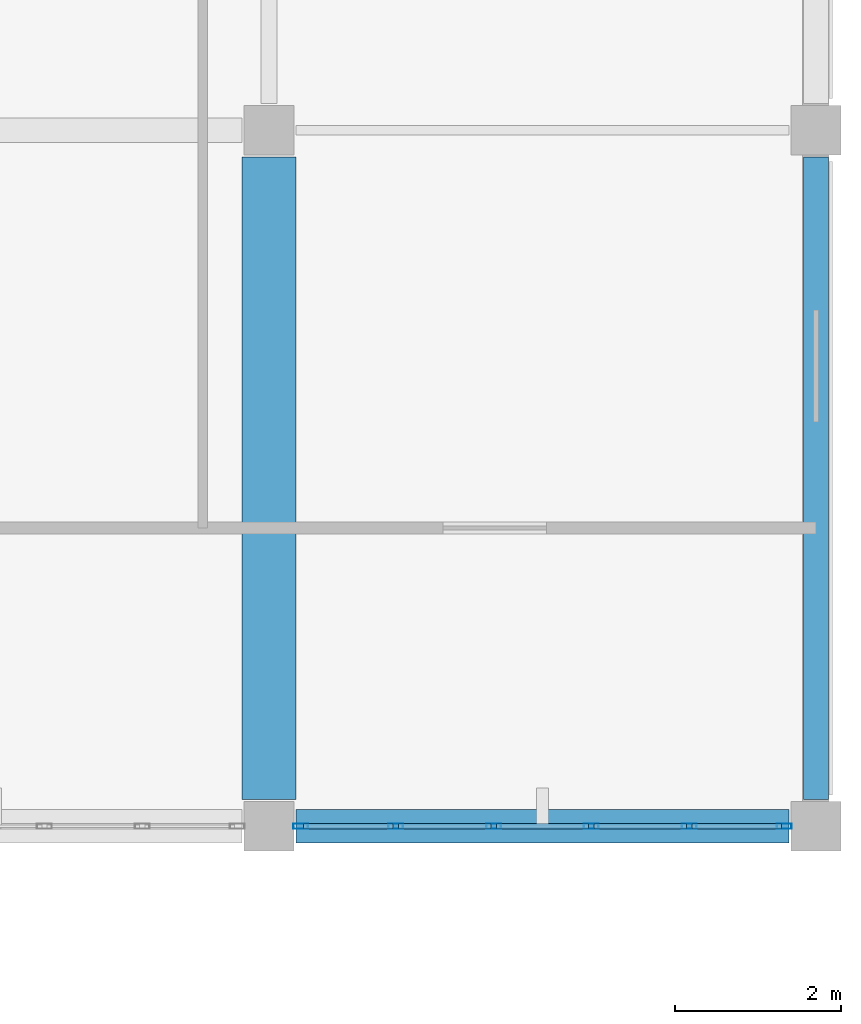
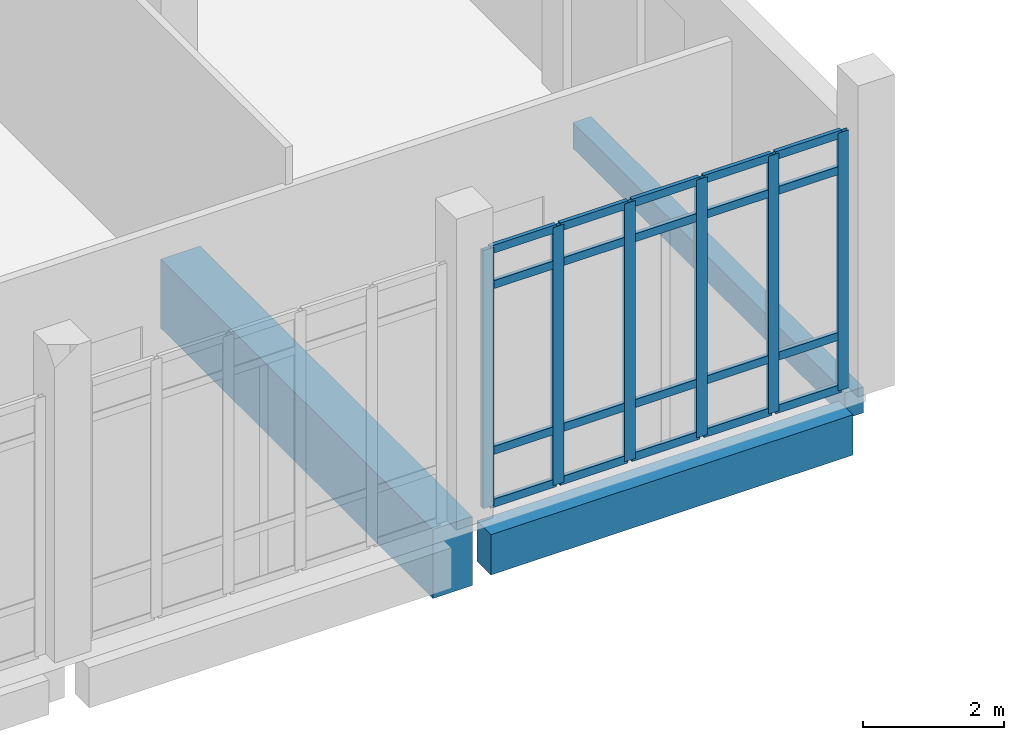
# One storey, part 66 of 110: 26 members, 3 beams, 1 element without a shape of its own.
"""IFC4 building model written with IfcOpenShell, lengths in metres."""

from ifc_helpers import new_model, si_unit, direction, frame, origin, origin_2d, place, context, subcontext, project, spatial, rectangle, hollow_rectangle, extrude, material, material_profile, profile_set, type_object, element, aggregate, save


model = new_model("IFC4")

# Units and contexts
model_context = context("Model", 3, precision=1e-05, world=origin(), true_north=direction((0.0, 1.0)))
body_context = subcontext(model_context, "Body", "Model", "MODEL_VIEW")
ifc_project = project(units=[si_unit("LENGTHUNIT", "METRE"), si_unit("AREAUNIT", "SQUARE_METRE"), si_unit("VOLUMEUNIT", "CUBIC_METRE"), si_unit("PLANEANGLEUNIT", "RADIAN"), si_unit("MASSUNIT", "GRAM", prefix="KILO")], contexts=[model_context])

# Site, building, storey
site_placement = place(None, origin())
site = spatial("IfcSite", under=ifc_project, at=site_placement, CompositionType="ELEMENT")
building_placement = place(site_placement, origin())
building = spatial("IfcBuilding", under=site, at=building_placement, Name="Kalluvel Institute of Natural Sciences", CompositionType="ELEMENT")
storey_placement = place(building_placement, origin())
storey = spatial("IfcBuildingStorey", under=building, at=storey_placement, Name="L00", CompositionType="ELEMENT", Elevation=0.0)

# Beam
ifc_material_1 = material(Name="Concrete M50", Category="concrete")
ifc_material_profile_1 = material_profile(ifc_material_1, rectangle(XDim=0.64990234375, YDim=1.199951171875, at=origin_2d()), Name="RCB 650x1200")
ifc_profile_set_1 = profile_set([ifc_material_profile_1], Name="Concrete M50")
beam_type_1 = type_object("IfcBeamType", Name="BM-RC650x1200", PredefinedType="BEAM", material=ifc_profile_set_1)
beam_1_placement = place(storey_placement, frame((175.39990234375, 103.125, -0.9599609375), z_axis=(0.0, 1.0, 0.0), x_axis=(-1.0, 0.0, 0.0)))
element("IfcBeam", 1, at=beam_1_placement, inside=storey, type_object=beam_type_1, Name="L00 girder GIR-L00-NS-X1754-Y1028", PredefinedType="BEAM", context=body_context, shape_type="SweptSolid", body=[
    extrude(rectangle(XDim=0.64990234375, YDim=1.199951171875, at=origin_2d()), origin(), (0.0, 0.0, 1.0), 7.75),
])

# Curtain wall, members
ifc_material_2 = material(Name="Aluminium AW-6063 T6", Category="aluminium")
curtain_wall_type = type_object("IfcCurtainWallType", Name="CW-CLN-54", PredefinedType="USERDEFINED", material=ifc_material_2)
curtain_wall_placement = place(storey_placement, origin())
curtain_wall = element("IfcCurtainWall", 2, at=curtain_wall_placement, inside=storey, type_object=curtain_wall_type, Name="L00 Gothic lancet curtain wall CWA-L00-X1758-Y1028", ObjectType="UNITISED LANCET FACADE", PredefinedType="USERDEFINED")
ifc_material_profile_2 = material_profile(ifc_material_2, hollow_rectangle(XDim=0.06494140625, YDim=0.179931640625, WallThickness=0.00439453125, at=origin_2d()), Name="CWM 65x180")
ifc_profile_set_2 = profile_set([ifc_material_profile_2], Name="Aluminium AW-6063 T6")
member_type_1 = type_object("IfcMemberType", Name="CWM-65x180", PredefinedType="MULLION", material=ifc_profile_set_2)
member_1_placement = place(storey_placement, frame((175.782470703125, 102.800048828125, 0.0), z_axis=(0.0, 0.0, 1.0), x_axis=(0.0, 1.0, 0.0)))
member_1 = element("IfcMember", 3, at=member_1_placement, type_object=member_type_1, Name="CW-09 mullion 1", PredefinedType="MULLION", context=body_context, shape_type="SweptSolid", body=[
    extrude(hollow_rectangle(XDim=0.06494140625, YDim=0.179931640625, WallThickness=0.00439453125, at=origin_2d()), origin(), (0.0, 0.0, 1.0), 4.47998046875),
])
member_2_placement = place(storey_placement, frame((176.929931640625, 102.800048828125, 0.0), z_axis=(0.0, 0.0, 1.0), x_axis=(0.0, 1.0, 0.0)))
member_2 = element("IfcMember", 4, at=member_2_placement, type_object=member_type_1, Name="CW-09 mullion 2", PredefinedType="MULLION", context=body_context, shape_type="SweptSolid", body=[
    extrude(hollow_rectangle(XDim=0.06494140625, YDim=0.179931640625, WallThickness=0.00439453125, at=origin_2d()), origin(), (0.0, 0.0, 1.0), 4.47998046875),
])
member_3_placement = place(storey_placement, frame((178.110107421875, 102.800048828125, 0.0), z_axis=(0.0, 0.0, 1.0), x_axis=(0.0, 1.0, 0.0)))
member_3 = element("IfcMember", 5, at=member_3_placement, type_object=member_type_1, Name="CW-09 mullion 3", PredefinedType="MULLION", context=body_context, shape_type="SweptSolid", body=[
    extrude(hollow_rectangle(XDim=0.06494140625, YDim=0.179931640625, WallThickness=0.00439453125, at=origin_2d()), origin(), (0.0, 0.0, 1.0), 4.47998046875),
])
member_4_placement = place(storey_placement, frame((179.2900390625, 102.800048828125, 0.0), z_axis=(0.0, 0.0, 1.0), x_axis=(0.0, 1.0, 0.0)))
member_4 = element("IfcMember", 6, at=member_4_placement, type_object=member_type_1, Name="CW-09 mullion 4", PredefinedType="MULLION", context=body_context, shape_type="SweptSolid", body=[
    extrude(hollow_rectangle(XDim=0.06494140625, YDim=0.179931640625, WallThickness=0.00439453125, at=origin_2d()), origin(), (0.0, 0.0, 1.0), 4.47998046875),
])
member_5_placement = place(storey_placement, frame((180.469970703125, 102.800048828125, 0.0), z_axis=(0.0, 0.0, 1.0), x_axis=(0.0, 1.0, 0.0)))
member_5 = element("IfcMember", 7, at=member_5_placement, type_object=member_type_1, Name="CW-09 mullion 5", PredefinedType="MULLION", context=body_context, shape_type="SweptSolid", body=[
    extrude(hollow_rectangle(XDim=0.06494140625, YDim=0.179931640625, WallThickness=0.00439453125, at=origin_2d()), origin(), (0.0, 0.0, 1.0), 4.47998046875),
])
member_6_placement = place(storey_placement, frame((181.617431640625, 102.800048828125, 0.0), z_axis=(0.0, 0.0, 1.0), x_axis=(0.0, 1.0, 0.0)))
member_6 = element("IfcMember", 8, at=member_6_placement, type_object=member_type_1, Name="CW-09 mullion 6", PredefinedType="MULLION", context=body_context, shape_type="SweptSolid", body=[
    extrude(hollow_rectangle(XDim=0.06494140625, YDim=0.179931640625, WallThickness=0.00439453125, at=origin_2d()), origin(), (0.0, 0.0, 1.0), 4.47998046875),
])
ifc_material_profile_3 = material_profile(ifc_material_2, hollow_rectangle(XDim=0.06494140625, YDim=0.139892578125, WallThickness=0.00439453125, at=origin_2d()), Name="CWT 65x140")
ifc_profile_set_3 = profile_set([ifc_material_profile_3], Name="Aluminium AW-6063 T6")
member_type_2 = type_object("IfcMemberType", Name="CWT-65x140", PredefinedType="USERDEFINED", material=ifc_profile_set_3)
member_7_placement = place(storey_placement, frame((175.81494140625, 102.800048828125, 0.032470703125), z_axis=(1.0, 0.0, 0.0), x_axis=(0.0, 1.0, 0.0)))
member_7 = element("IfcMember", 9, at=member_7_placement, type_object=member_type_2, Name="CW-09 transom 1.1", ObjectType="TRANSOM", PredefinedType="USERDEFINED", context=body_context, shape_type="SweptSolid", body=[
    extrude(hollow_rectangle(XDim=0.06494140625, YDim=0.139892578125, WallThickness=0.00439453125, at=origin_2d()), origin(), (0.0, 0.0, 1.0), 1.08251953125),
])
member_8_placement = place(storey_placement, frame((175.81494140625, 102.800048828125, 0.949951171875), z_axis=(1.0, 0.0, 0.0), x_axis=(0.0, 1.0, 0.0)))
member_8 = element("IfcMember", 10, at=member_8_placement, type_object=member_type_2, Name="CW-09 transom 1.2", ObjectType="TRANSOM", PredefinedType="USERDEFINED", context=body_context, shape_type="SweptSolid", body=[
    extrude(hollow_rectangle(XDim=0.06494140625, YDim=0.139892578125, WallThickness=0.00439453125, at=origin_2d()), origin(), (0.0, 0.0, 1.0), 1.08251953125),
])
member_9_placement = place(storey_placement, frame((175.81494140625, 102.800048828125, 3.830078125), z_axis=(1.0, 0.0, 0.0), x_axis=(0.0, 1.0, 0.0)))
member_9 = element("IfcMember", 11, at=member_9_placement, type_object=member_type_2, Name="CW-09 transom 1.3", ObjectType="TRANSOM", PredefinedType="USERDEFINED", context=body_context, shape_type="SweptSolid", body=[
    extrude(hollow_rectangle(XDim=0.06494140625, YDim=0.139892578125, WallThickness=0.00439453125, at=origin_2d()), origin(), (0.0, 0.0, 1.0), 1.08251953125),
])
member_10_placement = place(storey_placement, frame((175.81494140625, 102.800048828125, 4.447509765625), z_axis=(1.0, 0.0, 0.0), x_axis=(0.0, 1.0, 0.0)))
member_10 = element("IfcMember", 12, at=member_10_placement, type_object=member_type_2, Name="CW-09 transom 1.4", ObjectType="TRANSOM", PredefinedType="USERDEFINED", context=body_context, shape_type="SweptSolid", body=[
    extrude(hollow_rectangle(XDim=0.06494140625, YDim=0.139892578125, WallThickness=0.00439453125, at=origin_2d()), origin(), (0.0, 0.0, 1.0), 1.08251953125),
])
member_11_placement = place(storey_placement, frame((176.96240234375, 102.800048828125, 0.032470703125), z_axis=(1.0, 0.0, 0.0), x_axis=(0.0, 1.0, 0.0)))
member_11 = element("IfcMember", 13, at=member_11_placement, type_object=member_type_2, Name="CW-09 transom 2.1", ObjectType="TRANSOM", PredefinedType="USERDEFINED", context=body_context, shape_type="SweptSolid", body=[
    extrude(hollow_rectangle(XDim=0.06494140625, YDim=0.139892578125, WallThickness=0.00439453125, at=origin_2d()), origin(), (0.0, 0.0, 1.0), 1.114990234375),
])
member_12_placement = place(storey_placement, frame((176.96240234375, 102.800048828125, 0.949951171875), z_axis=(1.0, 0.0, 0.0), x_axis=(0.0, 1.0, 0.0)))
member_12 = element("IfcMember", 14, at=member_12_placement, type_object=member_type_2, Name="CW-09 transom 2.2", ObjectType="TRANSOM", PredefinedType="USERDEFINED", context=body_context, shape_type="SweptSolid", body=[
    extrude(hollow_rectangle(XDim=0.06494140625, YDim=0.139892578125, WallThickness=0.00439453125, at=origin_2d()), origin(), (0.0, 0.0, 1.0), 1.114990234375),
])
member_13_placement = place(storey_placement, frame((176.96240234375, 102.800048828125, 3.830078125), z_axis=(1.0, 0.0, 0.0), x_axis=(0.0, 1.0, 0.0)))
member_13 = element("IfcMember", 15, at=member_13_placement, type_object=member_type_2, Name="CW-09 transom 2.3", ObjectType="TRANSOM", PredefinedType="USERDEFINED", context=body_context, shape_type="SweptSolid", body=[
    extrude(hollow_rectangle(XDim=0.06494140625, YDim=0.139892578125, WallThickness=0.00439453125, at=origin_2d()), origin(), (0.0, 0.0, 1.0), 1.114990234375),
])
member_14_placement = place(storey_placement, frame((176.96240234375, 102.800048828125, 4.447509765625), z_axis=(1.0, 0.0, 0.0), x_axis=(0.0, 1.0, 0.0)))
member_14 = element("IfcMember", 16, at=member_14_placement, type_object=member_type_2, Name="CW-09 transom 2.4", ObjectType="TRANSOM", PredefinedType="USERDEFINED", context=body_context, shape_type="SweptSolid", body=[
    extrude(hollow_rectangle(XDim=0.06494140625, YDim=0.139892578125, WallThickness=0.00439453125, at=origin_2d()), origin(), (0.0, 0.0, 1.0), 1.114990234375),
])
member_15_placement = place(storey_placement, frame((178.142578125, 102.800048828125, 0.032470703125), z_axis=(1.0, 0.0, 0.0), x_axis=(0.0, 1.0, 0.0)))
member_15 = element("IfcMember", 17, at=member_15_placement, type_object=member_type_2, Name="CW-09 transom 3.1", ObjectType="TRANSOM", PredefinedType="USERDEFINED", context=body_context, shape_type="SweptSolid", body=[
    extrude(hollow_rectangle(XDim=0.06494140625, YDim=0.139892578125, WallThickness=0.00439453125, at=origin_2d()), origin(), (0.0, 0.0, 1.0), 1.114990234375),
])
member_16_placement = place(storey_placement, frame((178.142578125, 102.800048828125, 0.949951171875), z_axis=(1.0, 0.0, 0.0), x_axis=(0.0, 1.0, 0.0)))
member_16 = element("IfcMember", 18, at=member_16_placement, type_object=member_type_2, Name="CW-09 transom 3.2", ObjectType="TRANSOM", PredefinedType="USERDEFINED", context=body_context, shape_type="SweptSolid", body=[
    extrude(hollow_rectangle(XDim=0.06494140625, YDim=0.139892578125, WallThickness=0.00439453125, at=origin_2d()), origin(), (0.0, 0.0, 1.0), 1.114990234375),
])
member_17_placement = place(storey_placement, frame((178.142578125, 102.800048828125, 3.830078125), z_axis=(1.0, 0.0, 0.0), x_axis=(0.0, 1.0, 0.0)))
member_17 = element("IfcMember", 19, at=member_17_placement, type_object=member_type_2, Name="CW-09 transom 3.3", ObjectType="TRANSOM", PredefinedType="USERDEFINED", context=body_context, shape_type="SweptSolid", body=[
    extrude(hollow_rectangle(XDim=0.06494140625, YDim=0.139892578125, WallThickness=0.00439453125, at=origin_2d()), origin(), (0.0, 0.0, 1.0), 1.114990234375),
])
member_18_placement = place(storey_placement, frame((178.142578125, 102.800048828125, 4.447509765625), z_axis=(1.0, 0.0, 0.0), x_axis=(0.0, 1.0, 0.0)))
member_18 = element("IfcMember", 20, at=member_18_placement, type_object=member_type_2, Name="CW-09 transom 3.4", ObjectType="TRANSOM", PredefinedType="USERDEFINED", context=body_context, shape_type="SweptSolid", body=[
    extrude(hollow_rectangle(XDim=0.06494140625, YDim=0.139892578125, WallThickness=0.00439453125, at=origin_2d()), origin(), (0.0, 0.0, 1.0), 1.114990234375),
])
member_19_placement = place(storey_placement, frame((179.322509765625, 102.800048828125, 0.032470703125), z_axis=(1.0, 0.0, 0.0), x_axis=(0.0, 1.0, 0.0)))
member_19 = element("IfcMember", 21, at=member_19_placement, type_object=member_type_2, Name="CW-09 transom 4.1", ObjectType="TRANSOM", PredefinedType="USERDEFINED", context=body_context, shape_type="SweptSolid", body=[
    extrude(hollow_rectangle(XDim=0.06494140625, YDim=0.139892578125, WallThickness=0.00439453125, at=origin_2d()), origin(), (0.0, 0.0, 1.0), 1.114990234375),
])
member_20_placement = place(storey_placement, frame((179.322509765625, 102.800048828125, 0.949951171875), z_axis=(1.0, 0.0, 0.0), x_axis=(0.0, 1.0, 0.0)))
member_20 = element("IfcMember", 22, at=member_20_placement, type_object=member_type_2, Name="CW-09 transom 4.2", ObjectType="TRANSOM", PredefinedType="USERDEFINED", context=body_context, shape_type="SweptSolid", body=[
    extrude(hollow_rectangle(XDim=0.06494140625, YDim=0.139892578125, WallThickness=0.00439453125, at=origin_2d()), origin(), (0.0, 0.0, 1.0), 1.114990234375),
])
member_21_placement = place(storey_placement, frame((179.322509765625, 102.800048828125, 3.830078125), z_axis=(1.0, 0.0, 0.0), x_axis=(0.0, 1.0, 0.0)))
member_21 = element("IfcMember", 23, at=member_21_placement, type_object=member_type_2, Name="CW-09 transom 4.3", ObjectType="TRANSOM", PredefinedType="USERDEFINED", context=body_context, shape_type="SweptSolid", body=[
    extrude(hollow_rectangle(XDim=0.06494140625, YDim=0.139892578125, WallThickness=0.00439453125, at=origin_2d()), origin(), (0.0, 0.0, 1.0), 1.114990234375),
])
member_22_placement = place(storey_placement, frame((179.322509765625, 102.800048828125, 4.447509765625), z_axis=(1.0, 0.0, 0.0), x_axis=(0.0, 1.0, 0.0)))
member_22 = element("IfcMember", 24, at=member_22_placement, type_object=member_type_2, Name="CW-09 transom 4.4", ObjectType="TRANSOM", PredefinedType="USERDEFINED", context=body_context, shape_type="SweptSolid", body=[
    extrude(hollow_rectangle(XDim=0.06494140625, YDim=0.139892578125, WallThickness=0.00439453125, at=origin_2d()), origin(), (0.0, 0.0, 1.0), 1.114990234375),
])
member_23_placement = place(storey_placement, frame((180.50244140625, 102.800048828125, 0.032470703125), z_axis=(1.0, 0.0, 0.0), x_axis=(0.0, 1.0, 0.0)))
member_23 = element("IfcMember", 25, at=member_23_placement, type_object=member_type_2, Name="CW-09 transom 5.1", ObjectType="TRANSOM", PredefinedType="USERDEFINED", context=body_context, shape_type="SweptSolid", body=[
    extrude(hollow_rectangle(XDim=0.06494140625, YDim=0.139892578125, WallThickness=0.00439453125, at=origin_2d()), origin(), (0.0, 0.0, 1.0), 1.08251953125),
])
member_24_placement = place(storey_placement, frame((180.50244140625, 102.800048828125, 0.949951171875), z_axis=(1.0, 0.0, 0.0), x_axis=(0.0, 1.0, 0.0)))
member_24 = element("IfcMember", 26, at=member_24_placement, type_object=member_type_2, Name="CW-09 transom 5.2", ObjectType="TRANSOM", PredefinedType="USERDEFINED", context=body_context, shape_type="SweptSolid", body=[
    extrude(hollow_rectangle(XDim=0.06494140625, YDim=0.139892578125, WallThickness=0.00439453125, at=origin_2d()), origin(), (0.0, 0.0, 1.0), 1.08251953125),
])
member_25_placement = place(storey_placement, frame((180.50244140625, 102.800048828125, 3.830078125), z_axis=(1.0, 0.0, 0.0), x_axis=(0.0, 1.0, 0.0)))
member_25 = element("IfcMember", 27, at=member_25_placement, type_object=member_type_2, Name="CW-09 transom 5.3", ObjectType="TRANSOM", PredefinedType="USERDEFINED", context=body_context, shape_type="SweptSolid", body=[
    extrude(hollow_rectangle(XDim=0.06494140625, YDim=0.139892578125, WallThickness=0.00439453125, at=origin_2d()), origin(), (0.0, 0.0, 1.0), 1.08251953125),
])
member_26_placement = place(storey_placement, frame((180.50244140625, 102.800048828125, 4.447509765625), z_axis=(1.0, 0.0, 0.0), x_axis=(0.0, 1.0, 0.0)))
member_26 = element("IfcMember", 28, at=member_26_placement, type_object=member_type_2, Name="CW-09 transom 5.4", ObjectType="TRANSOM", PredefinedType="USERDEFINED", context=body_context, shape_type="SweptSolid", body=[
    extrude(hollow_rectangle(XDim=0.06494140625, YDim=0.139892578125, WallThickness=0.00439453125, at=origin_2d()), origin(), (0.0, 0.0, 1.0), 1.08251953125),
])
aggregate(curtain_wall, [member_1, member_2, member_3, member_4, member_5, member_6, member_7, member_8, member_9, member_10, member_11, member_12, member_13, member_14, member_15, member_16, member_17, member_18, member_19, member_20, member_21, member_22, member_23, member_24, member_25, member_26])

# Beams
ifc_material_3 = material(Name="Concrete M40", Category="concrete")
ifc_material_profile_4 = material_profile(ifc_material_3, rectangle(XDim=0.300048828125, YDim=0.449951171875, at=origin_2d()), Name="RCB 300x450")
ifc_profile_set_4 = profile_set([ifc_material_profile_4], Name="Concrete M40")
beam_type_2 = type_object("IfcBeamType", Name="SP-RC300x450", PredefinedType="SPANDREL", material=ifc_profile_set_4)
beam_2_placement = place(storey_placement, frame((182.0, 103.125, -0.5849609375), z_axis=(0.0, 1.0, 0.0), x_axis=(-1.0, 0.0, 0.0)))
element("IfcBeam", 29, at=beam_2_placement, inside=storey, type_object=beam_type_2, Name="L00 girder GIR-L00-NS-X1820-Y1028", PredefinedType="SPANDREL", context=body_context, shape_type="SweptSolid", body=[
    extrude(rectangle(XDim=0.300048828125, YDim=0.449951171875, at=origin_2d()), origin(), (0.0, 0.0, 1.0), 7.75),
])
ifc_material_profile_5 = material_profile(ifc_material_3, rectangle(XDim=0.39990234375, YDim=0.699951171875, at=origin_2d()), Name="RCB 400x700")
ifc_profile_set_5 = profile_set([ifc_material_profile_5], Name="Concrete M40")
beam_type_3 = type_object("IfcBeamType", Name="SP-RC400x700", PredefinedType="SPANDREL", material=ifc_profile_set_5)
beam_3_placement = place(storey_placement, frame((175.72509765625, 102.800048828125, -0.7099609375), z_axis=(1.0, 0.0, 0.0), x_axis=(0.0, 1.0, 0.0)))
element("IfcBeam", 30, at=beam_3_placement, inside=storey, type_object=beam_type_3, Name="L00 girder GIR-L00-EW-X1754-Y1028", PredefinedType="SPANDREL", context=body_context, shape_type="SweptSolid", body=[
    extrude(rectangle(XDim=0.39990234375, YDim=0.699951171875, at=origin_2d()), origin(), (0.0, 0.0, 1.0), 5.949951171875),
])

save(model, "model.ifc")
